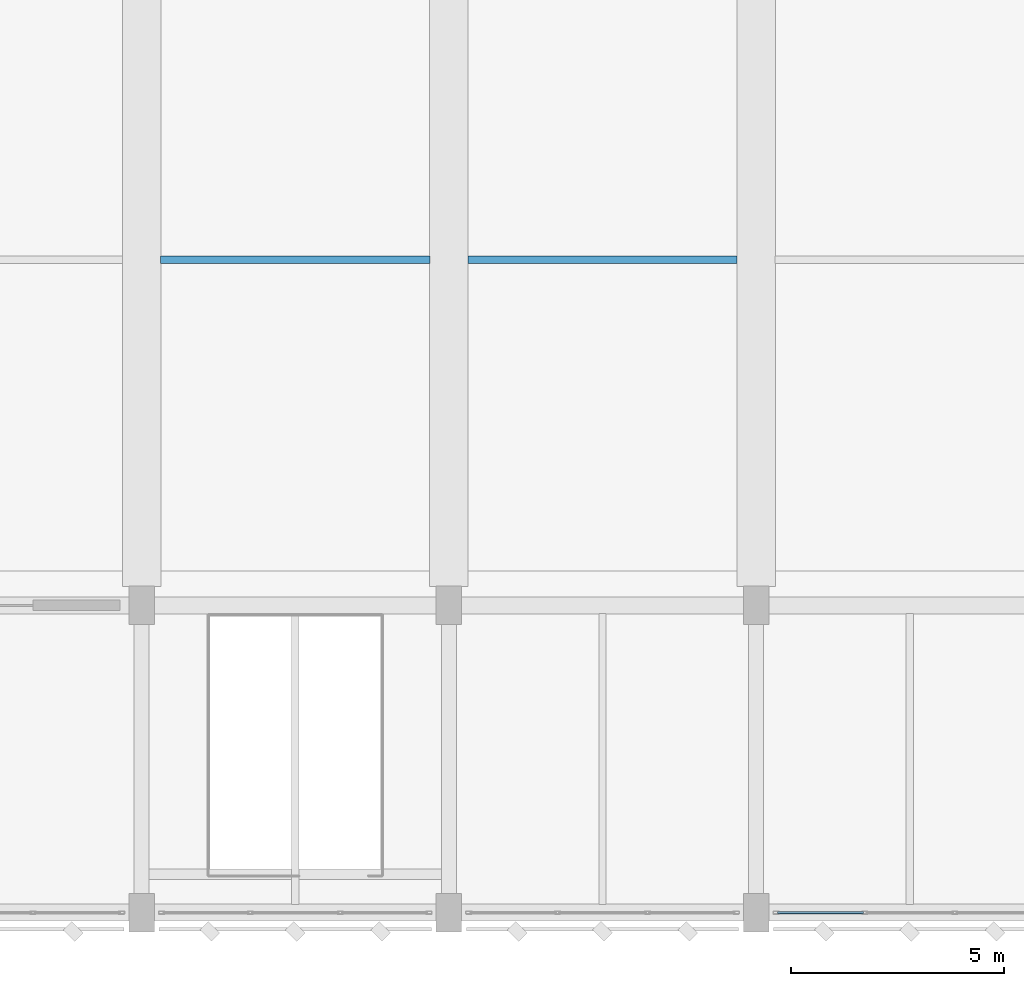
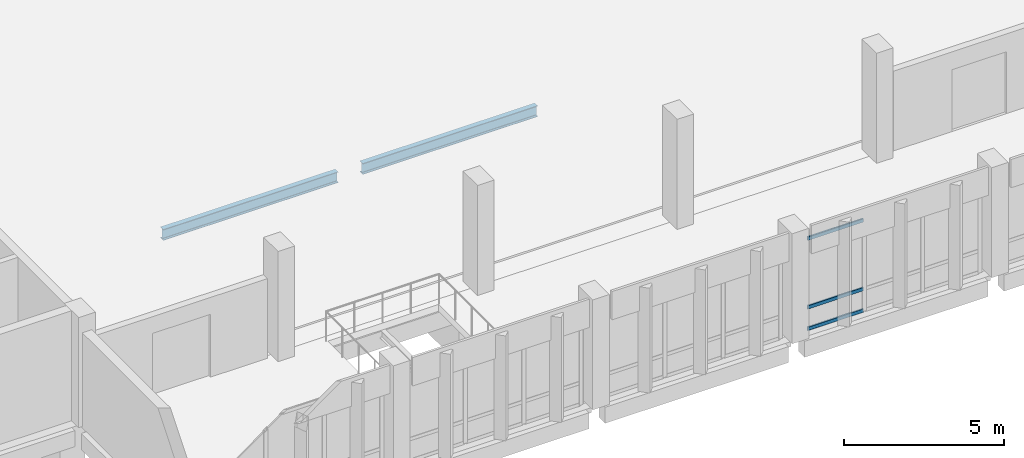
# One storey, part 74 of 158: 3 members, 2 beams, 1 element without a shape of its own.
"""IFC4 building model written with IfcOpenShell, lengths in metres."""

from ifc_helpers import new_model, si_unit, direction, frame, origin, origin_2d, place, context, subcontext, project, spatial, hollow_rectangle, i_section, extrude, material, material_profile, profile_set, type_object, element, aggregate, save


model = new_model("IFC4")

# Units and contexts
model_context = context("Model", 3, precision=1e-05, world=origin(), true_north=direction((0.0, 1.0)))
body_context = subcontext(model_context, "Body", "Model", "MODEL_VIEW")
ifc_project = project(units=[si_unit("LENGTHUNIT", "METRE"), si_unit("AREAUNIT", "SQUARE_METRE"), si_unit("VOLUMEUNIT", "CUBIC_METRE"), si_unit("PLANEANGLEUNIT", "RADIAN"), si_unit("MASSUNIT", "GRAM", prefix="KILO")], contexts=[model_context])

# Site, building, storey
site_placement = place(None, origin())
site = spatial("IfcSite", under=ifc_project, at=site_placement, CompositionType="ELEMENT")
building_placement = place(site_placement, origin())
building = spatial("IfcBuilding", under=site, at=building_placement, Name="Lusvemor Sports Hall", CompositionType="ELEMENT")
storey_placement = place(building_placement, frame((0.0, 0.0, 10.800048828125)))
storey = spatial("IfcBuildingStorey", under=building, at=storey_placement, Name="L02", CompositionType="ELEMENT", Elevation=10.800048828125)

# Beams
ifc_material_1 = material(Name="Steel S355", Category="steel")
ifc_material_profile_1 = material_profile(ifc_material_1, i_section(OverallWidth=0.180908203125, OverallDepth=0.4169921875, WebThickness=0.010986328125, FlangeThickness=0.018310546875, FilletRadius=0.01611328125, at=origin_2d()), Name="W410x85.0")
ifc_profile_set_1 = profile_set([ifc_material_profile_1], Name="Steel S355")
beam_type = type_object("IfcBeamType", Name="BEAM_ST_410H", PredefinedType="BEAM", material=ifc_profile_set_1)
beam_1_placement = place(storey_placement, frame((126.445068359375, 15.300048828125, -0.5625), z_axis=(1.0, 0.0, 0.0), x_axis=(0.0, 1.0, 0.0)))
element("IfcBeam", 1, at=beam_1_placement, inside=storey, type_object=beam_type, Name="Transfer Deck Beam 14-15 Row 1", PredefinedType="BEAM", context=body_context, shape_type="SweptSolid", body=[
    extrude(i_section(OverallWidth=0.180908203125, OverallDepth=0.4169921875, WebThickness=0.010986328125, FlangeThickness=0.018310546875, FilletRadius=0.01611328125, at=origin_2d()), origin(), (0.0, 0.0, 1.0), 6.309814453125),
])
beam_2_placement = place(storey_placement, frame((133.64501953125, 15.300048828125, -0.5625), z_axis=(1.0, 0.0, 0.0), x_axis=(0.0, 1.0, 0.0)))
element("IfcBeam", 2, at=beam_2_placement, inside=storey, type_object=beam_type, Name="Transfer Deck Beam 15-16 Row 1", PredefinedType="BEAM", context=body_context, shape_type="SweptSolid", body=[
    extrude(i_section(OverallWidth=0.180908203125, OverallDepth=0.4169921875, WebThickness=0.010986328125, FlangeThickness=0.018310546875, FilletRadius=0.01611328125, at=origin_2d()), origin(), (0.0, 0.0, 1.0), 6.31005859375),
])

# Curtain wall, members
ifc_material_2 = material(Name="Thermally broken bronze-anodized aluminium", Category="aluminium")
curtain_wall_type = type_object("IfcCurtainWallType", Name="CW_COURT_C", PredefinedType="NOTDEFINED", material=ifc_material_2)
curtain_wall_placement = place(storey_placement, origin())
curtain_wall = element("IfcCurtainWall", 3, at=curtain_wall_placement, inside=storey, type_object=curtain_wall_type, Name="Curtain Wall CW-V2S-L02-3", PredefinedType="NOTDEFINED")
ifc_material_3 = material(Name="Thermally broken bronze-anodized aluminium", Category="aluminium")
ifc_material_profile_2 = material_profile(ifc_material_3, hollow_rectangle(XDim=0.06005859375, YDim=0.135009765625, WallThickness=0.00390625, InnerFilletRadius=0.00390625, OuterFilletRadius=0.008056640625, at=origin_2d()), Name="CWTRN135x60x4")
ifc_profile_set_2 = profile_set([ifc_material_profile_2], Name="Thermally broken bronze-anodized aluminium")
member_type = type_object("IfcMemberType", Name="CW_TRN_B", PredefinedType="USERDEFINED", material=ifc_profile_set_2)
member_1_placement = place(storey_placement, frame((142.9140625, 0.0, 0.030029296875), z_axis=(-1.0, 0.0, 0.0), x_axis=(0.0, -1.0, 0.0)))
member_1 = element("IfcMember", 4, at=member_1_placement, type_object=member_type, Name="CW03 transom 3.1", ObjectType="TRANSOM", PredefinedType="USERDEFINED", context=body_context, shape_type="SweptSolid", body=[
    extrude(hollow_rectangle(XDim=0.06005859375, YDim=0.135009765625, WallThickness=0.00390625, InnerFilletRadius=0.00390625, OuterFilletRadius=0.008056640625, at=origin_2d()), origin(), (0.0, 0.0, 1.0), 2.009033203125),
])
member_2_placement = place(storey_placement, frame((142.9140625, 0.0, 0.849853515625), z_axis=(-1.0, 0.0, 0.0), x_axis=(0.0, -1.0, 0.0)))
member_2 = element("IfcMember", 5, at=member_2_placement, type_object=member_type, Name="CW03 transom 3.2", ObjectType="TRANSOM", PredefinedType="USERDEFINED", context=body_context, shape_type="SweptSolid", body=[
    extrude(hollow_rectangle(XDim=0.06005859375, YDim=0.135009765625, WallThickness=0.00390625, InnerFilletRadius=0.00390625, OuterFilletRadius=0.008056640625, at=origin_2d()), origin(), (0.0, 0.0, 1.0), 2.009033203125),
])
member_3_placement = place(storey_placement, frame((142.9140625, 0.0, 3.469970703125), z_axis=(-1.0, 0.0, 0.0), x_axis=(0.0, -1.0, 0.0)))
member_3 = element("IfcMember", 6, at=member_3_placement, type_object=member_type, Name="CW03 transom 3.3", ObjectType="TRANSOM", PredefinedType="USERDEFINED", context=body_context, shape_type="SweptSolid", body=[
    extrude(hollow_rectangle(XDim=0.06005859375, YDim=0.135009765625, WallThickness=0.00390625, InnerFilletRadius=0.00390625, OuterFilletRadius=0.008056640625, at=origin_2d()), origin(), (0.0, 0.0, 1.0), 2.009033203125),
])
aggregate(curtain_wall, [member_1, member_2, member_3])

save(model, "model.ifc")
